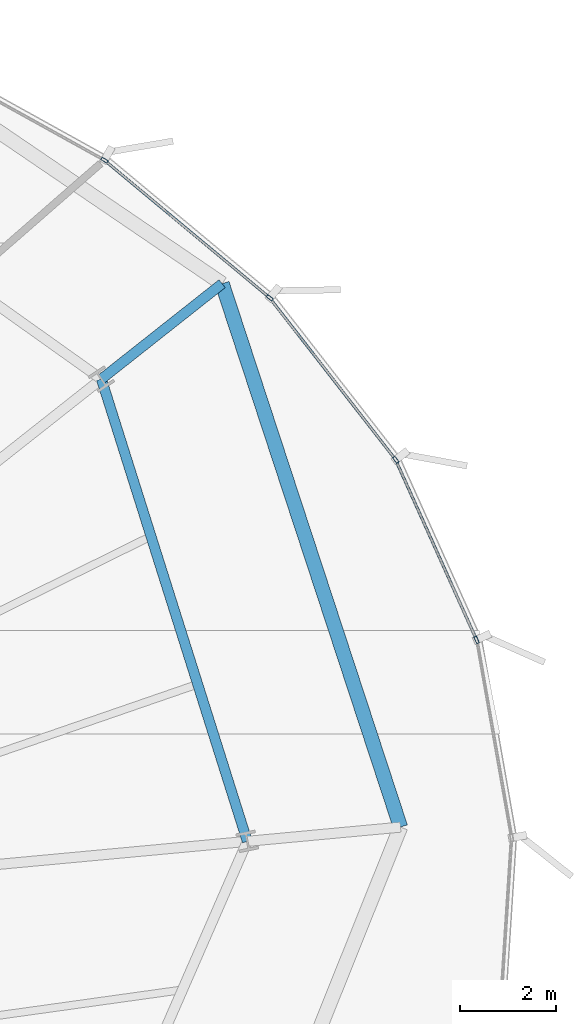
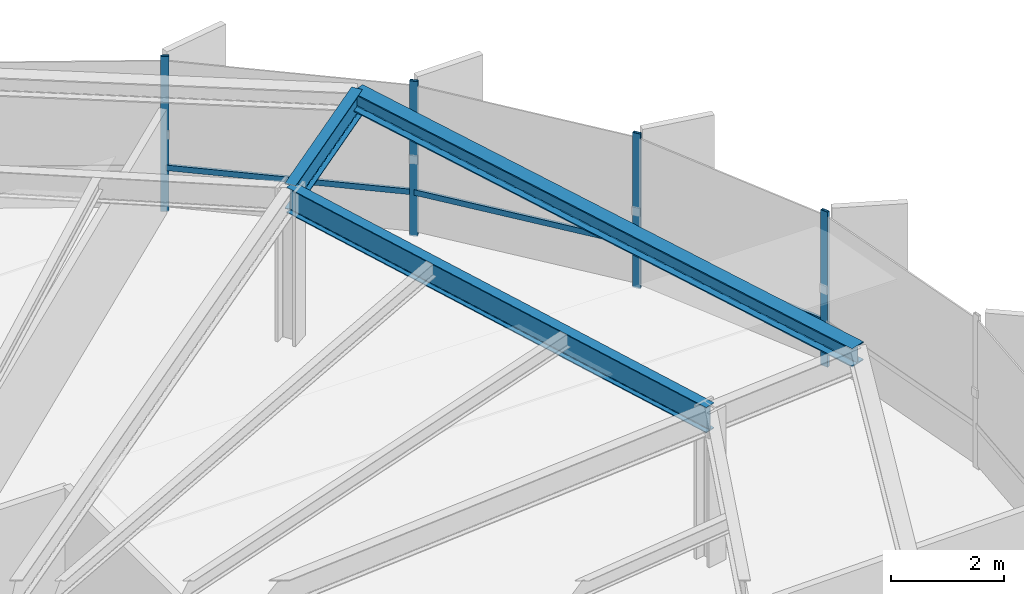
# One storey, part 25 of 35: 7 members, 3 beams, 1 element without a shape of its own.
"""IFC4 building model written with IfcOpenShell, lengths in metres."""

from ifc_helpers import new_model, si_unit, direction, frame, origin, origin_2d, place, context, subcontext, project, spatial, hollow_rectangle, i_section, extrude, source, transform, mapped, material, layer, layer_set, material_profile, profile_set, type_object, element, aggregate, save


model = new_model("IFC4")

# Units and contexts
model_context = context("Model", 3, precision=1e-05, world=origin(), true_north=direction((0.0, 1.0)))
body_context = subcontext(model_context, "Body", "Model", "MODEL_VIEW")
ifc_project = project(units=[si_unit("LENGTHUNIT", "METRE"), si_unit("AREAUNIT", "SQUARE_METRE"), si_unit("VOLUMEUNIT", "CUBIC_METRE"), si_unit("PLANEANGLEUNIT", "RADIAN"), si_unit("MASSUNIT", "GRAM", prefix="KILO"), si_unit("THERMODYNAMICTEMPERATUREUNIT", "KELVIN")], contexts=[model_context])

# Site, building, storey
site_placement = place(None, origin())
site = spatial("IfcSite", under=ifc_project, at=site_placement, CompositionType="ELEMENT")
building_placement = place(site_placement, origin())
building = spatial("IfcBuilding", under=site, at=building_placement, Name="Kethvar Cultural Tower", CompositionType="ELEMENT")
storey_placement = place(building_placement, frame((0.0, 0.0, 103.60009765625)))
storey = spatial("IfcBuildingStorey", under=building, at=storey_placement, Name="L25", CompositionType="ELEMENT", Elevation=103.60009765625)

# Beams
ifc_material_1 = material(Name="Steel S355J2", Category="steel")
ifc_material_profile_1 = material_profile(ifc_material_1, i_section(OverallWidth=0.2099609375, OverallDepth=0.550048828125, WebThickness=0.010986328125, FlangeThickness=0.01708984375, FilletRadius=0.02392578125, at=origin_2d()), Name="Steel S355J2 — IPE550")
ifc_profile_set_1 = profile_set([ifc_material_profile_1], Name="Steel S355J2 — IPE550")
beam_type_1 = type_object("IfcBeamType", Name="BM-IPE550", PredefinedType="BEAM", material=ifc_profile_set_1)
shared_shape_1 = source(origin(), body_context, "Body", "SweptSolid", [
    extrude(i_section(OverallWidth=0.2099609375, OverallDepth=0.550048828125, WebThickness=0.010986328125, FlangeThickness=0.01708984375, FilletRadius=0.02392578125, at=origin_2d()), origin(), (0.0, 0.0, 1.0), 3.2001953125),
])
beam_1_placement = place(storey_placement, frame((68.568603515625, 42.34521484375, 3.072998046875), z_axis=(0.784650322996, 0.619938602301, 0.0), x_axis=(-0.619938602301, 0.784650322996, 0.0)))
element("IfcBeam", 1, at=beam_1_placement, inside=storey, type_object=beam_type_1, Name="L25 Perimeter Cantilever Beam RC-02", PredefinedType="BEAM", context=body_context, shape_type="MappedRepresentation", body=[
    mapped(shared_shape_1, transform((0.0, 0.0, 0.0), scale=1.0)),
])
shared_shape_2 = source(origin(), body_context, "Body", "SweptSolid", [
    extrude(i_section(OverallWidth=0.2099609375, OverallDepth=0.550048828125, WebThickness=0.010986328125, FlangeThickness=0.01708984375, FilletRadius=0.02392578125, at=origin_2d()), origin(), (0.0, 0.0, 1.0), 10.079345703125),
])
beam_2_placement = place(storey_placement, frame((71.6025390625, 32.7333984375, 3.072998046875), z_axis=(-0.301007326566, 0.953621827222, 0.0), x_axis=(-0.953621827222, -0.301007326566, 0.0)))
element("IfcBeam", 2, at=beam_2_placement, inside=storey, type_object=beam_type_1, Name="L25 Column Ring Tie Beam CR-01", PredefinedType="BEAM", context=body_context, shape_type="MappedRepresentation", body=[
    mapped(shared_shape_2, transform((0.0, 0.0, 0.0), scale=1.0)),
])
ifc_material_profile_2 = material_profile(ifc_material_1, i_section(OverallWidth=0.300048828125, OverallDepth=0.39990234375, WebThickness=0.013427734375, FlangeThickness=0.02392578125, FilletRadius=0.027099609375, at=origin_2d()), Name="Steel S355J2 — HEB400")
ifc_profile_set_2 = profile_set([ifc_material_profile_2], Name="Steel S355J2 — HEB400")
beam_type_2 = type_object("IfcBeamType", Name="BM-SP400", PredefinedType="SPANDREL", material=ifc_profile_set_2)
shared_shape_3 = source(origin(), body_context, "Body", "SweptSolid", [
    extrude(i_section(OverallWidth=0.300048828125, OverallDepth=0.39990234375, WebThickness=0.013427734375, FlangeThickness=0.02392578125, FilletRadius=0.027099609375, at=origin_2d()), origin(), (0.0, 0.0, 1.0), 11.8935546875),
])
beam_3_placement = place(storey_placement, frame((74.788818359375, 33.02880859375, 3.14794921875), z_axis=(-0.311870604739, 0.95012458441, 0.0), x_axis=(-0.95012458441, -0.311870604739, 0.0)))
element("IfcBeam", 3, at=beam_3_placement, inside=storey, type_object=beam_type_2, Name="L25 Perimeter Spandrel Beam SP-01", PredefinedType="SPANDREL", context=body_context, shape_type="MappedRepresentation", body=[
    mapped(shared_shape_3, transform((0.0, 0.0, 0.0), scale=1.0)),
])

# Curtain wall, members
ifc_material_2 = material(Name="Aluminium 6063-T6", Category="aluminium")
ifc_layer = layer(ifc_material_2, 0.179931640625, Name="Aluminium 6063-T6", Category="aluminium")
ifc_layer_set = layer_set([ifc_layer], Name="Aluminium 6063-T6 (180 mm)")
curtain_wall_type = type_object("IfcCurtainWallType", Name="CW-SYS-03-Z2", PredefinedType="NOTDEFINED", material=ifc_layer_set)
curtain_wall_placement = place(storey_placement, origin())
curtain_wall = element("IfcCurtainWall", 4, at=curtain_wall_placement, inside=storey, type_object=curtain_wall_type, Name="L25 Curtain Wall Run 01", PredefinedType="NOTDEFINED")
ifc_material_profile_3 = material_profile(ifc_material_2, hollow_rectangle(XDim=0.06005859375, YDim=0.14990234375, WallThickness=0.0048828125, at=origin_2d()), Name="Aluminium 6063-T6 — RHS150x60x5")
ifc_profile_set_3 = profile_set([ifc_material_profile_3], Name="Aluminium 6063-T6 — RHS150x60x5")
member_type_1 = type_object("IfcMemberType", Name="CW-SYS-03-Z2-MUL", PredefinedType="MULLION", material=ifc_profile_set_3)
shared_shape_4 = source(origin(), body_context, "Body", "SweptSolid", [
    extrude(hollow_rectangle(XDim=0.06005859375, YDim=0.14990234375, WallThickness=0.0048828125, at=origin_2d()), origin(), (0.0, 0.0, 1.0), 3.349853515625),
])
member_1_placement = place(storey_placement, frame((76.36962890625, 36.92236328125, 0.0), z_axis=(0.0, 0.0, 1.0), x_axis=(-0.911998449413, -0.41019364728, 0.0)))
member_1 = element("IfcMember", 5, at=member_1_placement, type_object=member_type_1, Name="CW-L25-R01 Mullion 1", PredefinedType="MULLION", context=body_context, shape_type="MappedRepresentation", body=[
    mapped(shared_shape_4, transform((0.0, 0.0, 0.0), scale=1.0)),
])
member_2_placement = place(storey_placement, frame((74.689453125, 40.665771484375, 0.0), z_axis=(0.0, 0.0, 1.0), x_axis=(-0.789030475334, -0.614354058337, 0.0)))
member_2 = element("IfcMember", 6, at=member_2_placement, type_object=member_type_1, Name="CW-L25-R01 Mullion 2", PredefinedType="MULLION", context=body_context, shape_type="MappedRepresentation", body=[
    mapped(shared_shape_4, transform((0.0, 0.0, 0.0), scale=1.0)),
])
member_3_placement = place(storey_placement, frame((72.0703125, 44.0341796875, 0.0), z_axis=(0.0, 0.0, 1.0), x_axis=(-0.639626846389, -0.7686855647, 0.0)))
member_3 = element("IfcMember", 7, at=member_3_placement, type_object=member_type_1, Name="CW-L25-R01 Mullion 3", PredefinedType="MULLION", context=body_context, shape_type="MappedRepresentation", body=[
    mapped(shared_shape_4, transform((0.0, 0.0, 0.0), scale=1.0)),
])
member_4_placement = place(storey_placement, frame((68.6328125, 46.89697265625, 0.0), z_axis=(0.0, 0.0, 1.0), x_axis=(-0.484718027627, -0.874670471488, 0.0)))
member_4 = element("IfcMember", 8, at=member_4_placement, type_object=member_type_1, Name="CW-L25-R01 Mullion 4", PredefinedType="MULLION", context=body_context, shape_type="MappedRepresentation", body=[
    mapped(shared_shape_4, transform((0.0, 0.0, 0.0), scale=1.0)),
])
ifc_material_profile_4 = material_profile(ifc_material_2, hollow_rectangle(XDim=0.054931640625, YDim=0.1201171875, WallThickness=0.00390625, at=origin_2d()), Name="Aluminium 6063-T6 — RHS120x55x4")
ifc_profile_set_4 = profile_set([ifc_material_profile_4], Name="Aluminium 6063-T6 — RHS120x55x4")
member_type_2 = type_object("IfcMemberType", Name="CW-SYS-03-Z2-TRN", PredefinedType="USERDEFINED", material=ifc_profile_set_4)
shared_shape_5 = source(origin(), body_context, "Body", "SweptSolid", [
    extrude(hollow_rectangle(XDim=0.054931640625, YDim=0.1201171875, WallThickness=0.00390625, at=origin_2d()), origin(), (0.0, 0.0, 1.0), 4.0830078125),
])
member_5_placement = place(storey_placement, frame((76.367919921875, 36.92626953125, 0.949951171875), z_axis=(-0.410195602548, 0.91199756998, 0.0), x_axis=(-0.91199756998, -0.410195602548, 0.0)))
member_5 = element("IfcMember", 9, at=member_5_placement, type_object=member_type_2, Name="CW-L25-R01 Transom 1", ObjectType="TRANSOM", PredefinedType="USERDEFINED", context=body_context, shape_type="MappedRepresentation", body=[
    mapped(shared_shape_5, transform((0.0, 0.0, 0.0), scale=1.0)),
])
shared_shape_6 = source(origin(), body_context, "Body", "SweptSolid", [
    extrude(hollow_rectangle(XDim=0.054931640625, YDim=0.1201171875, WallThickness=0.00390625, at=origin_2d()), origin(), (0.0, 0.0, 1.0), 4.204833984375),
])
member_6_placement = place(storey_placement, frame((74.662841796875, 40.699951171875, 0.949951171875), z_axis=(-0.614338473442, 0.78904260978, 0.0), x_axis=(-0.78904260978, -0.614338473442, 0.0)))
member_6 = element("IfcMember", 10, at=member_6_placement, type_object=member_type_2, Name="CW-L25-R01 Transom 2", ObjectType="TRANSOM", PredefinedType="USERDEFINED", context=body_context, shape_type="MappedRepresentation", body=[
    mapped(shared_shape_6, transform((0.0, 0.0, 0.0), scale=1.0)),
])
shared_shape_7 = source(origin(), body_context, "Body", "SweptSolid", [
    extrude(hollow_rectangle(XDim=0.054931640625, YDim=0.1201171875, WallThickness=0.00390625, at=origin_2d()), origin(), (0.0, 0.0, 1.0), 4.40869140625),
])
member_7_placement = place(storey_placement, frame((72.037109375, 44.061767578125, 0.949951171875), z_axis=(-0.768697677941, 0.639612288756, 0.0), x_axis=(-0.639612288756, -0.768697677941, 0.0)))
member_7 = element("IfcMember", 11, at=member_7_placement, type_object=member_type_2, Name="CW-L25-R01 Transom 3", ObjectType="TRANSOM", PredefinedType="USERDEFINED", context=body_context, shape_type="MappedRepresentation", body=[
    mapped(shared_shape_7, transform((0.0, 0.0, 0.0), scale=1.0)),
])
aggregate(curtain_wall, [member_1, member_2, member_3, member_4, member_5, member_6, member_7])

save(model, "model.ifc")
